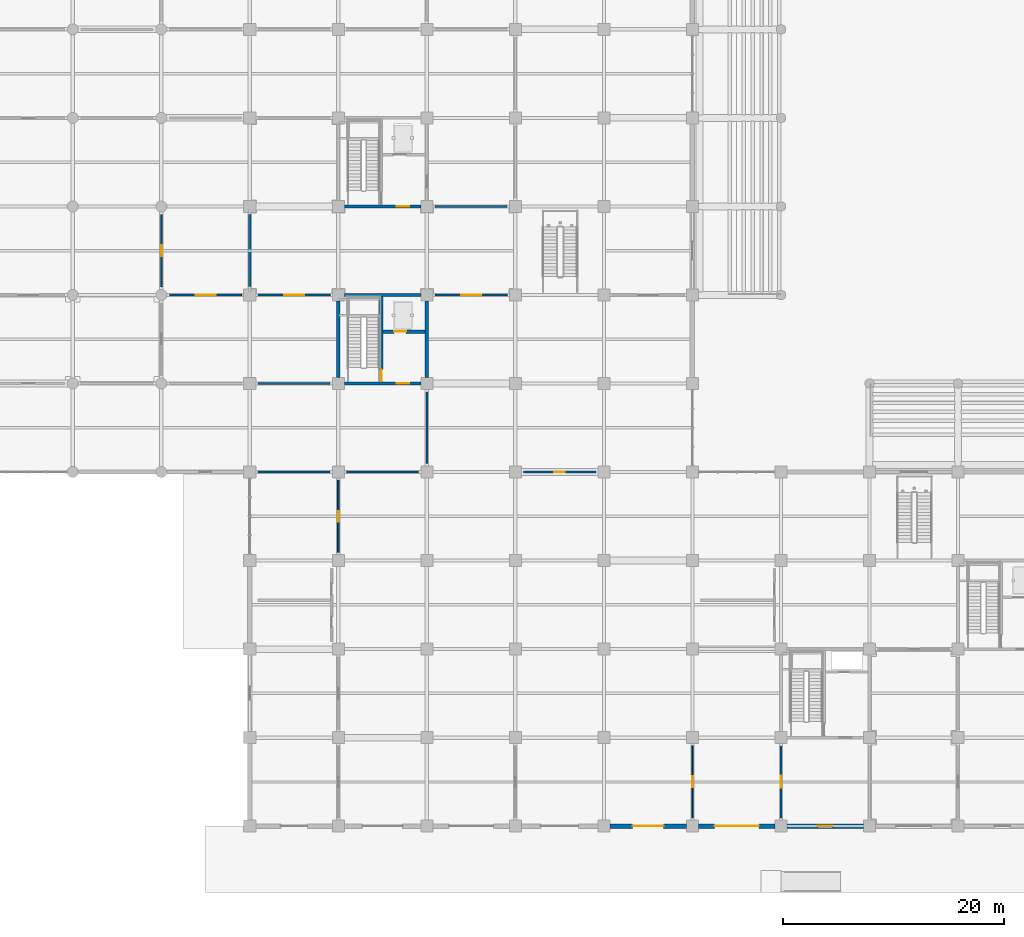
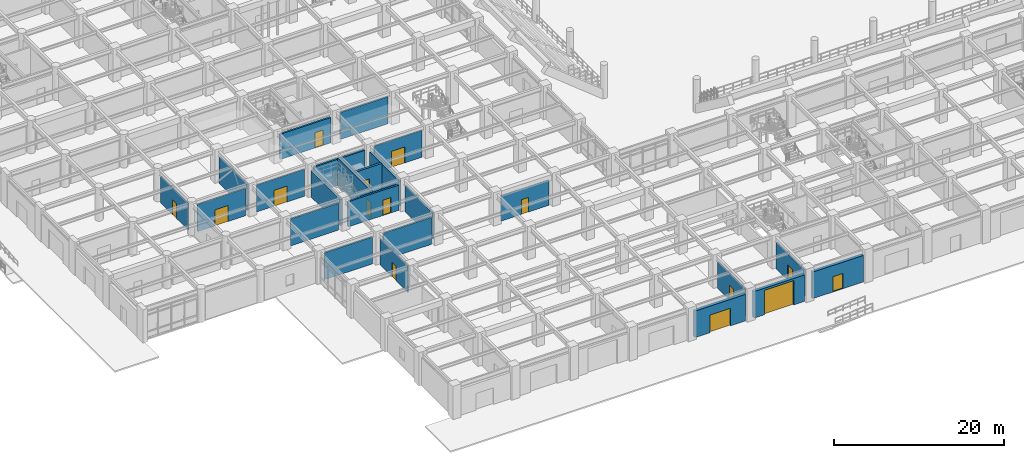
# One storey, part 74 of 125: 24 walls, 15 doors, 15 openings.
"""IFC4 building model written with IfcOpenShell, lengths in metres."""

from ifc_helpers import new_model, si_unit, direction, frame, frame_2d, origin, place, context, subcontext, project, spatial, rectangle, extrude, material, layer, layer_set, type_object, element, fill, save


model = new_model("IFC4")

# Units and contexts
model_context = context("Model", 3, precision=1e-05, world=origin(), true_north=direction((0.0, 1.0)))
body_context = subcontext(model_context, "Body", "Model", "MODEL_VIEW")
ifc_project = project(units=[si_unit("LENGTHUNIT", "METRE"), si_unit("AREAUNIT", "SQUARE_METRE"), si_unit("VOLUMEUNIT", "CUBIC_METRE"), si_unit("PLANEANGLEUNIT", "RADIAN"), si_unit("MASSUNIT", "GRAM", prefix="KILO")], contexts=[model_context])

# Site, building, storey
site_placement = place(None, origin())
site = spatial("IfcSite", under=ifc_project, at=site_placement, CompositionType="ELEMENT")
building_placement = place(site_placement, origin())
building = spatial("IfcBuilding", under=site, at=building_placement, Name="Haebicheon Civic Stadium", CompositionType="ELEMENT")
storey_placement = place(building_placement, origin())
storey = spatial("IfcBuildingStorey", under=building, at=storey_placement, Name="L01", CompositionType="ELEMENT", Elevation=0.0)

# Wall, opening, door
ifc_material_1 = material(Name="Concrete C40/50", Category="concrete")
ifc_layer_1 = layer(ifc_material_1, 0.239990234375, Name="Concrete C40/50")
ifc_layer_set_1 = layer_set([ifc_layer_1], Name="Concrete C40/50")
wall_type_1 = type_object("IfcWallType", Name="CW-SHR-240", PredefinedType="SHEAR", material=ifc_layer_set_1)
wall_1_placement = place(storey_placement, frame((32.550048828125, 40.0, 0.0), z_axis=(0.0, 0.0, 1.0), x_axis=(1.0, 0.0, 0.0)))
wall_1 = element("IfcWall", 1, at=wall_1_placement, inside=storey, type_object=wall_type_1, material=ifc_layer_set_1, Name="KC-01 L01 south core shear wall", PredefinedType="SHEAR", context=body_context, shape_type="SweptSolid", body=[
    extrude(rectangle(XDim=6.89990234375, YDim=0.239990234375, at=frame_2d((3.449951171875, 0.0))), origin(), (0.0, 0.0, 1.0), 3.6201171875),
])
opening_1_placement = place(wall_1_placement, frame((4.75, 0.0, 0.0)))
opening_1 = element("IfcOpeningElement", 2, at=opening_1_placement, cuts=wall_1, Name="Opening D-L01-KC-01-LOB", PredefinedType="OPENING", context=body_context, shape_type="SweptSolid", body=[
    extrude(rectangle(XDim=1.10009765625, YDim=2.199951171875, at=frame_2d((0.550048828125, 1.10009765625))), frame((0.0, 0.1298828125, 0.0), z_axis=(0.0, -1.0, 0.0), x_axis=(1.0, 0.0, 0.0)), (0.0, 0.0, 1.0), 0.260009765625),
])
ifc_material_2 = material(Name="Galvanised painted steel SM355", Category="steel")
door_type_1 = type_object("IfcDoorType", Name="ID-FD-1100", OperationType="NOTDEFINED", PredefinedType="DOOR", material=ifc_material_2)
door_1_placement = place(opening_1_placement, origin())
door_1 = element("IfcDoor", 3, at=door_1_placement, inside=storey, type_object=door_type_1, material=ifc_material_2, Name="L01 KC-01 lobby fire door", OperationType="SINGLE_SWING_LEFT", OverallHeight=2.199951171875, OverallWidth=1.10009765625, PredefinedType="DOOR", context=body_context, shape_type="SweptSolid", body=[
    extrude(rectangle(XDim=1.10009765625, YDim=2.199951171875, at=frame_2d((0.550048828125, 1.10009765625))), frame((0.0, 0.02490234375, 0.0), z_axis=(0.0, -1.0, 0.0), x_axis=(1.0, 0.0, 0.0)), (0.0, 0.0, 1.0), 0.050048828125),
])
fill(opening_1, door_1)

# Wall
wall_2_placement = place(storey_placement, frame((32.550048828125, 48.0, 0.0), z_axis=(0.0, 0.0, 1.0), x_axis=(1.0, 0.0, 0.0)))
element("IfcWall", 4, at=wall_2_placement, inside=storey, type_object=wall_type_1, material=ifc_layer_set_1, Name="KC-01 L01 north core shear wall", PredefinedType="SHEAR", context=body_context, shape_type="SweptSolid", body=[
    extrude(rectangle(XDim=6.89990234375, YDim=0.239990234375, at=frame_2d((3.449951171875, 0.0))), origin(), (0.0, 0.0, 1.0), 3.77001953125),
])

# Wall, opening, door
wall_3_placement = place(storey_placement, frame((32.550048828125, 56.0, 0.0), z_axis=(0.0, 0.0, 1.0), x_axis=(1.0, 0.0, 0.0)))
wall_3 = element("IfcWall", 5, at=wall_3_placement, inside=storey, type_object=wall_type_1, material=ifc_layer_set_1, Name="KC-02 L01 south core shear wall", PredefinedType="SHEAR", context=body_context, shape_type="SweptSolid", body=[
    extrude(rectangle(XDim=6.89990234375, YDim=0.239990234375, at=frame_2d((3.449951171875, 0.0))), origin(), (0.0, 0.0, 1.0), 3.6201171875),
])
opening_2_placement = place(wall_3_placement, frame((4.75, 0.0, 0.0)))
opening_2 = element("IfcOpeningElement", 6, at=opening_2_placement, cuts=wall_3, Name="Opening D-L01-KC-02-LOB", PredefinedType="OPENING", context=body_context, shape_type="SweptSolid", body=[
    extrude(rectangle(XDim=1.10009765625, YDim=2.199951171875, at=frame_2d((0.550048828125, 1.10009765625))), frame((0.0, 0.1298828125, 0.0), z_axis=(0.0, -1.0, 0.0), x_axis=(1.0, 0.0, 0.0)), (0.0, 0.0, 1.0), 0.260009765625),
])
door_2_placement = place(opening_2_placement, origin())
door_2 = element("IfcDoor", 7, at=door_2_placement, inside=storey, type_object=door_type_1, material=ifc_material_2, Name="L01 KC-02 lobby fire door", OperationType="SINGLE_SWING_LEFT", OverallHeight=2.199951171875, OverallWidth=1.10009765625, PredefinedType="DOOR", context=body_context, shape_type="SweptSolid", body=[
    extrude(rectangle(XDim=1.10009765625, YDim=2.199951171875, at=frame_2d((0.550048828125, 1.10009765625))), frame((0.0, 0.02490234375, 0.0), z_axis=(0.0, -1.0, 0.0), x_axis=(1.0, 0.0, 0.0)), (0.0, 0.0, 1.0), 0.050048828125),
])
fill(opening_2, door_2)

# Walls
ifc_material_3 = material(Name="Concrete C40/50", Category="concrete")
ifc_layer_2 = layer(ifc_material_3, 0.300048828125, Name="Concrete C40/50")
ifc_layer_set_2 = layer_set([ifc_layer_2], Name="Concrete C40/50")
wall_type_2 = type_object("IfcWallType", Name="CW-SHR-300", PredefinedType="SHEAR", material=ifc_layer_set_2)
wall_4_placement = place(storey_placement, frame((32.0, 40.550048828125, 0.0), z_axis=(0.0, 0.0, 1.0), x_axis=(0.0, 1.0, 0.0)))
element("IfcWall", 8, at=wall_4_placement, inside=storey, type_object=wall_type_2, material=ifc_layer_set_2, Name="KC-01 L01 west core shear wall", PredefinedType="SHEAR", context=body_context, shape_type="SweptSolid", body=[
    extrude(rectangle(XDim=6.89990234375, YDim=0.300048828125, at=frame_2d((3.449951171875, 0.0))), origin(), (0.0, 0.0, 1.0), 3.77001953125),
])
wall_5_placement = place(storey_placement, frame((40.0, 40.550048828125, 0.0), z_axis=(0.0, 0.0, 1.0), x_axis=(0.0, 1.0, 0.0)))
element("IfcWall", 9, at=wall_5_placement, inside=storey, type_object=wall_type_2, material=ifc_layer_set_2, Name="KC-01 L01 east core shear wall", PredefinedType="SHEAR", context=body_context, shape_type="SweptSolid", body=[
    extrude(rectangle(XDim=6.89990234375, YDim=0.300048828125, at=frame_2d((3.449951171875, 0.0))), origin(), (0.0, 0.0, 1.0), 3.6201171875),
])

# Wall, opening, door
wall_6_placement = place(storey_placement, frame((35.8798828125, 40.1201171875, 0.0), z_axis=(0.0, 0.0, 1.0), x_axis=(0.0, 1.0, 0.0)))
wall_6 = element("IfcWall", 10, at=wall_6_placement, inside=storey, type_object=wall_type_2, material=ifc_layer_set_2, Name="KC-01 L01 stair-lobby dividing shear wall", PredefinedType="SHEAR", context=body_context, shape_type="SweptSolid", body=[
    extrude(rectangle(XDim=7.759765625, YDim=0.300048828125, at=frame_2d((3.8798828125, 0.0))), origin(), (0.0, 0.0, 1.0), 3.969970703125),
])
opening_3_placement = place(wall_6_placement, frame((0.080078125, 0.0, 0.0)))
opening_3 = element("IfcOpeningElement", 11, at=opening_3_placement, cuts=wall_6, Name="Opening D-L01-KC-01-STR", PredefinedType="OPENING", context=body_context, shape_type="SweptSolid", body=[
    extrude(rectangle(XDim=1.050048828125, YDim=2.14990234375, at=frame_2d((0.52490234375, 1.074951171875))), frame((0.0, 0.159912109375, 0.0), z_axis=(0.0, -1.0, 0.0), x_axis=(1.0, 0.0, 0.0)), (0.0, 0.0, 1.0), 0.320068359375),
])
ifc_material_4 = material(Name="Galvanised painted steel SM355", Category="steel")
door_type_2 = type_object("IfcDoorType", Name="ID-FD-1050", OperationType="NOTDEFINED", PredefinedType="DOOR", material=ifc_material_4)
door_3_placement = place(opening_3_placement, origin())
door_3 = element("IfcDoor", 12, at=door_3_placement, inside=storey, type_object=door_type_2, material=ifc_material_4, Name="L01 ST-01 stairwell escape door", OperationType="SINGLE_SWING_RIGHT", OverallHeight=2.14990234375, OverallWidth=1.050048828125, PredefinedType="DOOR", context=body_context, shape_type="SweptSolid", body=[
    extrude(rectangle(XDim=1.050048828125, YDim=2.14990234375, at=frame_2d((0.52490234375, 1.074951171875))), frame((0.0, 0.02490234375, 0.0), z_axis=(0.0, -1.0, 0.0), x_axis=(1.0, 0.0, 0.0)), (0.0, 0.0, 1.0), 0.050048828125),
])
fill(opening_3, door_3)

wall_7_placement = place(storey_placement, frame((36.030029296875, 44.679931640625, 0.0), z_axis=(0.0, 0.0, 1.0), x_axis=(1.0, 0.0, 0.0)))
wall_7 = element("IfcWall", 13, at=wall_7_placement, inside=storey, type_object=wall_type_2, material=ifc_layer_set_2, Name="KC-01 L01 lift shaft front wall", PredefinedType="SHEAR", context=body_context, shape_type="SweptSolid", body=[
    extrude(rectangle(XDim=3.820068359375, YDim=0.300048828125, at=frame_2d((1.91015625, 0.0))), origin(), (0.0, 0.0, 1.0), 3.77001953125),
])
opening_4_placement = place(wall_7_placement, frame((1.0, 0.0, 0.0)))
opening_4 = element("IfcOpeningElement", 14, at=opening_4_placement, cuts=wall_7, Name="Opening LD-01-L01", PredefinedType="OPENING", context=body_context, shape_type="SweptSolid", body=[
    extrude(rectangle(XDim=1.10009765625, YDim=2.14990234375, at=frame_2d((0.550048828125, 1.074951171875))), frame((0.0, 0.159912109375, 0.0), z_axis=(0.0, -1.0, 0.0), x_axis=(1.0, 0.0, 0.0)), (0.0, 0.0, 1.0), 0.320068359375),
])
ifc_material_5 = material(Name="Stainless steel 316", Category="steel")
door_type_3 = type_object("IfcDoorType", Name="ID-LD-1100", OperationType="NOTDEFINED", PredefinedType="DOOR", material=ifc_material_5)
door_4_placement = place(opening_4_placement, origin())
door_4 = element("IfcDoor", 15, at=door_4_placement, inside=storey, type_object=door_type_3, material=ifc_material_5, Name="LF-01 lift landing sliding door L01", OperationType="SLIDING_TO_LEFT", OverallHeight=2.14990234375, OverallWidth=1.10009765625, PredefinedType="DOOR", context=body_context, shape_type="SweptSolid", body=[
    extrude(rectangle(XDim=1.10009765625, YDim=2.14990234375, at=frame_2d((0.550048828125, 1.074951171875))), frame((0.0, 0.02490234375, 0.0), z_axis=(0.0, -1.0, 0.0), x_axis=(1.0, 0.0, 0.0)), (0.0, 0.0, 1.0), 0.050048828125),
])
fill(opening_4, door_4)

ifc_material_6 = material(Name="Concrete C40/50", Category="concrete")
ifc_layer_3 = layer(ifc_material_6, 0.39990234375, Name="Concrete C40/50")
ifc_layer_set_3 = layer_set([ifc_layer_3], Name="Concrete C40/50")
wall_type_3 = type_object("IfcWallType", Name="EW-BM-400", PredefinedType="SOLIDWALL", material=ifc_layer_set_3)
wall_8_placement = place(storey_placement, frame((56.550048828125, 0.0, 0.0), z_axis=(0.0, 0.0, 1.0), x_axis=(1.0, 0.0, 0.0)))
wall_8 = element("IfcWall", 16, at=wall_8_placement, inside=storey, type_object=wall_type_3, material=ifc_layer_set_3, Name="L01 board-marked concrete facade wall 07-00-S", PredefinedType="SOLIDWALL", context=body_context, shape_type="SweptSolid", body=[
    extrude(rectangle(XDim=6.89990234375, YDim=0.39990234375, at=frame_2d((3.449951171875, 0.0))), origin(), (0.0, 0.0, 1.0), 3.81005859375),
])
opening_5_placement = place(wall_8_placement, frame((2.050048828125, 0.0, 0.0)))
opening_5 = element("IfcOpeningElement", 17, at=opening_5_placement, cuts=wall_8, Name="Opening G06", PredefinedType="OPENING", context=body_context, shape_type="SweptSolid", body=[
    extrude(rectangle(XDim=2.800048828125, YDim=2.550048828125, at=frame_2d((1.39990234375, 1.27490234375))), frame((0.0, 0.2099609375, 0.0), z_axis=(0.0, -1.0, 0.0), x_axis=(1.0, 0.0, 0.0)), (0.0, 0.0, 1.0), 0.419921875),
])
ifc_material_7 = material(Name="Anodised aluminium 6063-T6", Category="aluminium")
door_type_4 = type_object("IfcDoorType", Name="ED-GATE-2800", OperationType="NOTDEFINED", PredefinedType="DOOR", material=ifc_material_7)
door_5_placement = place(opening_5_placement, origin())
door_5 = element("IfcDoor", 18, at=door_5_placement, inside=storey, type_object=door_type_4, material=ifc_material_7, Name="Pedestrian exit gate G6", OperationType="DOUBLE_SWING_LEFT", OverallHeight=2.550048828125, OverallWidth=2.800048828125, PredefinedType="DOOR", context=body_context, shape_type="SweptSolid", body=[
    extrude(rectangle(XDim=2.800048828125, YDim=2.550048828125, at=frame_2d((1.39990234375, 1.27490234375))), frame((0.0, 0.02490234375, 0.0), z_axis=(0.0, -1.0, 0.0), x_axis=(1.0, 0.0, 0.0)), (0.0, 0.0, 1.0), 0.050048828125),
])
fill(opening_5, door_5)

wall_9_placement = place(storey_placement, frame((64.550048828125, 0.0, 0.0), z_axis=(0.0, 0.0, 1.0), x_axis=(1.0, 0.0, 0.0)))
wall_9 = element("IfcWall", 19, at=wall_9_placement, inside=storey, type_object=wall_type_3, material=ifc_layer_set_3, Name="L01 board-marked concrete facade wall 08-00-S", PredefinedType="SOLIDWALL", context=body_context, shape_type="SweptSolid", body=[
    extrude(rectangle(XDim=6.89990234375, YDim=0.39990234375, at=frame_2d((3.449951171875, 0.0))), origin(), (0.0, 0.0, 1.0), 3.81005859375),
])
opening_6_placement = place(wall_9_placement, frame((1.449951171875, 0.0, 0.0)))
opening_6 = element("IfcOpeningElement", 20, at=opening_6_placement, cuts=wall_9, Name="Opening DS02", PredefinedType="OPENING", context=body_context, shape_type="SweptSolid", body=[
    extrude(rectangle(XDim=4.0, YDim=3.5, at=frame_2d((2.0, 1.75))), frame((0.0, 0.2099609375, 0.0), z_axis=(0.0, -1.0, 0.0), x_axis=(1.0, 0.0, 0.0)), (0.0, 0.0, 1.0), 0.419921875),
])
ifc_material_8 = material(Name="Galvanised painted steel SM355", Category="steel")
door_type_5 = type_object("IfcDoorType", Name="ED-DOCK-4000", OperationType="NOTDEFINED", PredefinedType="GATE", material=ifc_material_8)
door_6_placement = place(opening_6_placement, origin())
door_6 = element("IfcDoor", 21, at=door_6_placement, inside=storey, type_object=door_type_5, material=ifc_material_8, Name="Loading dock roller shutter DS2", OperationType="ROLLINGUP", OverallHeight=3.5, OverallWidth=4.0, PredefinedType="GATE", context=body_context, shape_type="SweptSolid", body=[
    extrude(rectangle(XDim=4.0, YDim=3.5, at=frame_2d((2.0, 1.75))), frame((0.0, 0.02490234375, 0.0), z_axis=(0.0, -1.0, 0.0), x_axis=(1.0, 0.0, 0.0)), (0.0, 0.0, 1.0), 0.050048828125),
])
fill(opening_6, door_6)

wall_10_placement = place(storey_placement, frame((79.449951171875, 0.0, 0.0), z_axis=(0.0, 0.0, 1.0), x_axis=(-1.0, 0.0, 0.0)))
wall_10 = element("IfcWall", 22, at=wall_10_placement, inside=storey, type_object=wall_type_3, material=ifc_layer_set_3, Name="L01 board-marked concrete facade wall 09-00-S", PredefinedType="SOLIDWALL", context=body_context, shape_type="SweptSolid", body=[
    extrude(rectangle(XDim=6.89990234375, YDim=0.39990234375, at=frame_2d((3.449951171875, 0.0))), origin(), (0.0, 0.0, 1.0), 3.81005859375),
])
opening_7_placement = place(wall_10_placement, frame((2.75, 0.0, 0.0)))
opening_7 = element("IfcOpeningElement", 23, at=opening_7_placement, cuts=wall_10, Name="Opening DX11", PredefinedType="OPENING", context=body_context, shape_type="SweptSolid", body=[
    extrude(rectangle(XDim=1.39990234375, YDim=2.199951171875, at=frame_2d((0.699951171875, 1.10009765625))), frame((0.0, 0.2099609375, 0.0), z_axis=(0.0, -1.0, 0.0), x_axis=(1.0, 0.0, 0.0)), (0.0, 0.0, 1.0), 0.419921875),
])
ifc_material_9 = material(Name="Galvanised painted steel SM355", Category="steel")
door_type_6 = type_object("IfcDoorType", Name="ED-EXIT-1400", OperationType="NOTDEFINED", PredefinedType="DOOR", material=ifc_material_9)
door_7_placement = place(opening_7_placement, origin())
door_7 = element("IfcDoor", 24, at=door_7_placement, inside=storey, type_object=door_type_6, material=ifc_material_9, Name="Protected exit passage final exit door DX11", OperationType="SINGLE_SWING_LEFT", OverallHeight=2.199951171875, OverallWidth=1.39990234375, PredefinedType="DOOR", context=body_context, shape_type="SweptSolid", body=[
    extrude(rectangle(XDim=1.39990234375, YDim=2.199951171875, at=frame_2d((0.699951171875, 1.10009765625))), frame((0.0, 0.02490234375, 0.0), z_axis=(0.0, -1.0, 0.0), x_axis=(1.0, 0.0, 0.0)), (0.0, 0.0, 1.0), 0.050048828125),
])
fill(opening_7, door_7)

# Walls
ifc_material_10 = material(Name="Concrete C35/45", Category="concrete")
ifc_layer_4 = layer(ifc_material_10, 0.199951171875, Name="Concrete C35/45")
ifc_layer_set_4 = layer_set([ifc_layer_4], Name="Concrete C35/45")
wall_type_4 = type_object("IfcWallType", Name="IW-FIR-200", PredefinedType="PARTITIONING", material=ifc_layer_set_4)
wall_11_placement = place(storey_placement, frame((24.0, 48.75, 0.0), z_axis=(0.0, 0.0, 1.0), x_axis=(0.0, 1.0, 0.0)))
element("IfcWall", 25, at=wall_11_placement, inside=storey, type_object=wall_type_4, material=ifc_layer_set_4, Name="L01 braced-frame solid fire wall 03-06", PredefinedType="PARTITIONING", context=body_context, shape_type="SweptSolid", body=[
    extrude(rectangle(XDim=6.5, YDim=0.199951171875, at=frame_2d((3.25, 0.0))), origin(), (0.0, 0.0, 1.0), 3.77001953125),
])
for number, where, z_axis, x_axis, name in (
    (26, (24.75, 32.0, 0.0), (0.0, 0.0, 1.0), (1.0, 0.0, 0.0), "L01 KC-01 protected exit passage EI 120 wall 04"),
    (27, (24.75, 40.0, 0.0), (0.0, 0.0, 1.0), (1.0, 0.0, 0.0), "L01 KC-01 protected exit passage EI 120 wall 05"),
):
    element("IfcWall", number, at=place(storey_placement, frame(where, z_axis=z_axis, x_axis=x_axis)), inside=storey, type_object=wall_type_4, material=ifc_layer_set_4, Name=name, PredefinedType="PARTITIONING", context=body_context, shape_type="SweptSolid", body=[
        extrude(rectangle(XDim=6.5, YDim=0.199951171875, at=frame_2d((3.25, 0.0))), origin(), (0.0, 0.0, 1.0), 3.8701171875),
    ])
wall_12_placement = place(storey_placement, frame((40.0, 32.75, 0.0), z_axis=(0.0, 0.0, 1.0), x_axis=(0.0, 1.0, 0.0)))
element("IfcWall", 28, at=wall_12_placement, inside=storey, type_object=wall_type_4, material=ifc_layer_set_4, Name="L01 KC-01 protected exit passage EI 120 wall 06", PredefinedType="PARTITIONING", context=body_context, shape_type="SweptSolid", body=[
    extrude(rectangle(XDim=6.5, YDim=0.199951171875, at=frame_2d((3.25, 0.0))), origin(), (0.0, 0.0, 1.0), 3.77001953125),
])
wall_13_placement = place(storey_placement, frame((32.75, 32.0, 0.0), z_axis=(0.0, 0.0, 1.0), x_axis=(1.0, 0.0, 0.0)))
element("IfcWall", 29, at=wall_13_placement, inside=storey, type_object=wall_type_4, material=ifc_layer_set_4, Name="L01 KC-01 protected exit passage EI 120 wall 07", PredefinedType="PARTITIONING", context=body_context, shape_type="SweptSolid", body=[
    extrude(rectangle(XDim=6.5, YDim=0.199951171875, at=frame_2d((3.25, 0.0))), origin(), (0.0, 0.0, 1.0), 3.8701171875),
])

# Wall, opening, door
wall_14_placement = place(storey_placement, frame((72.0, 0.75, 0.0), z_axis=(0.0, 0.0, 1.0), x_axis=(0.0, 1.0, 0.0)))
wall_14 = element("IfcWall", 30, at=wall_14_placement, inside=storey, type_object=wall_type_4, material=ifc_layer_set_4, Name="L01 KC-16 protected exit passage EI 120 wall 01", PredefinedType="PARTITIONING", context=body_context, shape_type="SweptSolid", body=[
    extrude(rectangle(XDim=6.5, YDim=0.199951171875, at=frame_2d((3.25, 0.0))), origin(), (0.0, 0.0, 1.0), 3.81005859375),
])
opening_8_placement = place(wall_14_placement, frame((2.699951171875, 0.0, 0.0)))
opening_8 = element("IfcOpeningElement", 31, at=opening_8_placement, cuts=wall_14, Name="Opening D-L01-PXP-11", PredefinedType="OPENING", context=body_context, shape_type="SweptSolid", body=[
    extrude(rectangle(XDim=1.10009765625, YDim=2.199951171875, at=frame_2d((0.550048828125, 1.10009765625))), frame((0.0, 0.10986328125, 0.0), z_axis=(0.0, -1.0, 0.0), x_axis=(1.0, 0.0, 0.0)), (0.0, 0.0, 1.0), 0.219970703125),
])
door_8_placement = place(opening_8_placement, origin())
door_8 = element("IfcDoor", 32, at=door_8_placement, inside=storey, type_object=door_type_1, material=ifc_material_2, Name="L01 KC-16 protected exit passage lobby fire door", OperationType="SINGLE_SWING_LEFT", OverallHeight=2.199951171875, OverallWidth=1.10009765625, PredefinedType="DOOR", context=body_context, shape_type="SweptSolid", body=[
    extrude(rectangle(XDim=1.10009765625, YDim=2.199951171875, at=frame_2d((0.550048828125, 1.10009765625))), frame((0.0, 0.02490234375, 0.0), z_axis=(0.0, -1.0, 0.0), x_axis=(1.0, 0.0, 0.0)), (0.0, 0.0, 1.0), 0.050048828125),
])
fill(opening_8, door_8)

# Wall
wall_15_placement = place(storey_placement, frame((40.75, 56.0, 0.0), z_axis=(0.0, 0.0, 1.0), x_axis=(1.0, 0.0, 0.0)))
element("IfcWall", 33, at=wall_15_placement, inside=storey, type_object=wall_type_4, material=ifc_layer_set_4, Name="L01 KC-02 protected exit passage EI 120 wall 11", PredefinedType="PARTITIONING", context=body_context, shape_type="SweptSolid", body=[
    extrude(rectangle(XDim=6.5, YDim=0.199951171875, at=frame_2d((3.25, 0.0))), origin(), (0.0, 0.0, 1.0), 3.8701171875),
])

# Wall, opening, door
ifc_material_11 = material(Name="Gypsum plasterboard on steel studs", Category="gypsum")
ifc_layer_5 = layer(ifc_material_11, 0.1201171875, Name="Gypsum plasterboard on steel studs")
ifc_layer_set_5 = layer_set([ifc_layer_5], Name="Gypsum plasterboard on steel studs")
wall_type_5 = type_object("IfcWallType", Name="IW-PRT-120", PredefinedType="PARTITIONING", material=ifc_layer_set_5)
wall_16_placement = place(storey_placement, frame((64.0, 0.75, 0.0), z_axis=(0.0, 0.0, 1.0), x_axis=(0.0, 1.0, 0.0)))
wall_16 = element("IfcWall", 34, at=wall_16_placement, inside=storey, type_object=wall_type_5, material=ifc_layer_set_5, Name="L01 Outside Broadcast Compound partition wall", PredefinedType="PARTITIONING", context=body_context, shape_type="SweptSolid", body=[
    extrude(rectangle(XDim=6.5, YDim=0.1201171875, at=frame_2d((3.25, 0.0))), origin(), (0.0, 0.0, 1.0), 3.81005859375),
])
opening_9_placement = place(wall_16_placement, frame((2.75, 0.0, 0.0)))
opening_9 = element("IfcOpeningElement", 35, at=opening_9_placement, cuts=wall_16, Name="Opening D-L01-182", PredefinedType="OPENING", context=body_context, shape_type="SweptSolid", body=[
    extrude(rectangle(XDim=1.0, YDim=2.10009765625, at=frame_2d((0.5, 1.050048828125))), frame((0.0, 0.070068359375, 0.0), z_axis=(0.0, -1.0, 0.0), x_axis=(1.0, 0.0, 0.0)), (0.0, 0.0, 1.0), 0.14013671875),
])
ifc_material_12 = material(Name="Engineered hardwood timber", Category="wood")
door_type_7 = type_object("IfcDoorType", Name="ID-RM-1000", OperationType="NOTDEFINED", PredefinedType="DOOR", material=ifc_material_12)
door_9_placement = place(opening_9_placement, origin())
door_9 = element("IfcDoor", 36, at=door_9_placement, inside=storey, type_object=door_type_7, material=ifc_material_12, Name="L01 Outside Broadcast Compound entrance door D-L01-182", OperationType="SINGLE_SWING_LEFT", OverallHeight=2.10009765625, OverallWidth=1.0, PredefinedType="DOOR", context=body_context, shape_type="SweptSolid", body=[
    extrude(rectangle(XDim=1.0, YDim=2.10009765625, at=frame_2d((0.5, 1.050048828125))), frame((0.0, 0.02490234375, 0.0), z_axis=(0.0, -1.0, 0.0), x_axis=(1.0, 0.0, 0.0)), (0.0, 0.0, 1.0), 0.050048828125),
])
fill(opening_9, door_9)

ifc_material_13 = material(Name="Gypsum plasterboard on steel studs", Category="gypsum")
ifc_layer_6 = layer(ifc_material_13, 0.1298828125, Name="Gypsum plasterboard on steel studs")
ifc_layer_set_6 = layer_set([ifc_layer_6], Name="Gypsum plasterboard on steel studs")
wall_type_6 = type_object("IfcWallType", Name="IW-PRT-130", PredefinedType="PARTITIONING", material=ifc_layer_set_6)
wall_17_placement = place(storey_placement, frame((16.0, 48.75, 0.0), z_axis=(0.0, 0.0, 1.0), x_axis=(0.0, 1.0, 0.0)))
wall_17 = element("IfcWall", 37, at=wall_17_placement, inside=storey, type_object=wall_type_6, material=ifc_layer_set_6, Name="L01 Club Megastore partition wall", PredefinedType="PARTITIONING", context=body_context, shape_type="SweptSolid", body=[
    extrude(rectangle(XDim=6.5, YDim=0.1298828125, at=frame_2d((3.25, 0.0))), origin(), (0.0, 0.0, 1.0), 3.81005859375),
])
opening_10_placement = place(wall_17_placement, frame((2.75, 0.0, 0.0)))
opening_10 = element("IfcOpeningElement", 38, at=opening_10_placement, cuts=wall_17, Name="Opening D-L01-168", PredefinedType="OPENING", context=body_context, shape_type="SweptSolid", body=[
    extrude(rectangle(XDim=1.0, YDim=2.10009765625, at=frame_2d((0.5, 1.050048828125))), frame((0.0, 0.074951171875, 0.0), z_axis=(0.0, -1.0, 0.0), x_axis=(1.0, 0.0, 0.0)), (0.0, 0.0, 1.0), 0.14990234375),
])
door_10_placement = place(opening_10_placement, origin())
door_10 = element("IfcDoor", 39, at=door_10_placement, inside=storey, type_object=door_type_7, material=ifc_material_12, Name="L01 Club Megastore entrance door D-L01-168", OperationType="SINGLE_SWING_RIGHT", OverallHeight=2.10009765625, OverallWidth=1.0, PredefinedType="DOOR", context=body_context, shape_type="SweptSolid", body=[
    extrude(rectangle(XDim=1.0, YDim=2.10009765625, at=frame_2d((0.5, 1.050048828125))), frame((0.0, 0.02490234375, 0.0), z_axis=(0.0, -1.0, 0.0), x_axis=(1.0, 0.0, 0.0)), (0.0, 0.0, 1.0), 0.050048828125),
])
fill(opening_10, door_10)

ifc_material_14 = material(Name="Gypsum plasterboard on steel studs", Category="gypsum")
ifc_layer_7 = layer(ifc_material_14, 0.14990234375, Name="Gypsum plasterboard on steel studs")
ifc_layer_set_7 = layer_set([ifc_layer_7], Name="Gypsum plasterboard on steel studs")
wall_type_7 = type_object("IfcWallType", Name="IW-PRT-150", PredefinedType="PARTITIONING", material=ifc_layer_set_7)
wall_18_placement = place(storey_placement, frame((24.75, 48.0, 0.0), z_axis=(0.0, 0.0, 1.0), x_axis=(1.0, 0.0, 0.0)))
wall_18 = element("IfcWall", 40, at=wall_18_placement, inside=storey, type_object=wall_type_7, material=ifc_layer_set_7, Name="L01 Mixed Zone Media Interview Hall partition wall", PredefinedType="PARTITIONING", context=body_context, shape_type="SweptSolid", body=[
    extrude(rectangle(XDim=6.5, YDim=0.14990234375, at=frame_2d((3.25, 0.0))), origin(), (0.0, 0.0, 1.0), 3.8701171875),
])
opening_11_placement = place(wall_18_placement, frame((2.35009765625, 0.0, 0.0)))
opening_11 = element("IfcOpeningElement", 41, at=opening_11_placement, cuts=wall_18, Name="Opening D-L01-113", PredefinedType="OPENING", context=body_context, shape_type="SweptSolid", body=[
    extrude(rectangle(XDim=1.800048828125, YDim=2.300048828125, at=frame_2d((0.89990234375, 1.14990234375))), frame((0.0, 0.0849609375, 0.0), z_axis=(0.0, -1.0, 0.0), x_axis=(1.0, 0.0, 0.0)), (0.0, 0.0, 1.0), 0.169921875),
])
ifc_material_15 = material(Name="Galvanised painted steel SM355", Category="steel")
door_type_8 = type_object("IfcDoorType", Name="ID-DBL-1800", OperationType="NOTDEFINED", PredefinedType="DOOR", material=ifc_material_15)
door_11_placement = place(opening_11_placement, origin())
door_11 = element("IfcDoor", 42, at=door_11_placement, inside=storey, type_object=door_type_8, material=ifc_material_15, Name="L01 Mixed Zone Media Interview Hall entrance door D-L01-113", OperationType="DOUBLE_SWING_LEFT", OverallHeight=2.300048828125, OverallWidth=1.800048828125, PredefinedType="DOOR", context=body_context, shape_type="SweptSolid", body=[
    extrude(rectangle(XDim=1.800048828125, YDim=2.300048828125, at=frame_2d((0.89990234375, 1.14990234375))), frame((0.0, 0.02490234375, 0.0), z_axis=(0.0, -1.0, 0.0), x_axis=(1.0, 0.0, 0.0)), (0.0, 0.0, 1.0), 0.050048828125),
])
fill(opening_11, door_11)

wall_19_placement = place(storey_placement, frame((40.75, 48.0, 0.0), z_axis=(0.0, 0.0, 1.0), x_axis=(1.0, 0.0, 0.0)))
wall_19 = element("IfcWall", 43, at=wall_19_placement, inside=storey, type_object=wall_type_7, material=ifc_layer_set_7, Name="L01 VIP Entrance Reception Hall partition wall", PredefinedType="PARTITIONING", context=body_context, shape_type="SweptSolid", body=[
    extrude(rectangle(XDim=6.5, YDim=0.14990234375, at=frame_2d((3.25, 0.0))), origin(), (0.0, 0.0, 1.0), 3.8701171875),
])
opening_12_placement = place(wall_19_placement, frame((2.35009765625, 0.0, 0.0)))
opening_12 = element("IfcOpeningElement", 44, at=opening_12_placement, cuts=wall_19, Name="Opening D-L01-118", PredefinedType="OPENING", context=body_context, shape_type="SweptSolid", body=[
    extrude(rectangle(XDim=1.800048828125, YDim=2.300048828125, at=frame_2d((0.89990234375, 1.14990234375))), frame((0.0, 0.0849609375, 0.0), z_axis=(0.0, -1.0, 0.0), x_axis=(1.0, 0.0, 0.0)), (0.0, 0.0, 1.0), 0.169921875),
])
door_12_placement = place(opening_12_placement, origin())
door_12 = element("IfcDoor", 45, at=door_12_placement, inside=storey, type_object=door_type_8, material=ifc_material_15, Name="L01 VIP Entrance Reception Hall entrance door D-L01-118", OperationType="DOUBLE_SWING_LEFT", OverallHeight=2.300048828125, OverallWidth=1.800048828125, PredefinedType="DOOR", context=body_context, shape_type="SweptSolid", body=[
    extrude(rectangle(XDim=1.800048828125, YDim=2.300048828125, at=frame_2d((0.89990234375, 1.14990234375))), frame((0.0, 0.02490234375, 0.0), z_axis=(0.0, -1.0, 0.0), x_axis=(1.0, 0.0, 0.0)), (0.0, 0.0, 1.0), 0.050048828125),
])
fill(opening_12, door_12)

wall_20_placement = place(storey_placement, frame((16.75, 48.0, 0.0), z_axis=(0.0, 0.0, 1.0), x_axis=(1.0, 0.0, 0.0)))
wall_20 = element("IfcWall", 46, at=wall_20_placement, inside=storey, type_object=wall_type_7, material=ifc_layer_set_7, Name="L01 Ticketing Hall partition wall", PredefinedType="PARTITIONING", context=body_context, shape_type="SweptSolid", body=[
    extrude(rectangle(XDim=6.5, YDim=0.14990234375, at=frame_2d((3.25, 0.0))), origin(), (0.0, 0.0, 1.0), 3.909912109375),
])
opening_13_placement = place(wall_20_placement, frame((2.35009765625, 0.0, 0.0)))
opening_13 = element("IfcOpeningElement", 47, at=opening_13_placement, cuts=wall_20, Name="Opening D-L01-174", PredefinedType="OPENING", context=body_context, shape_type="SweptSolid", body=[
    extrude(rectangle(XDim=1.800048828125, YDim=2.300048828125, at=frame_2d((0.89990234375, 1.14990234375))), frame((0.0, 0.0849609375, 0.0), z_axis=(0.0, -1.0, 0.0), x_axis=(1.0, 0.0, 0.0)), (0.0, 0.0, 1.0), 0.169921875),
])
door_13_placement = place(opening_13_placement, origin())
door_13 = element("IfcDoor", 48, at=door_13_placement, inside=storey, type_object=door_type_8, material=ifc_material_15, Name="L01 Ticketing Hall entrance door D-L01-174", OperationType="DOUBLE_SWING_LEFT", OverallHeight=2.300048828125, OverallWidth=1.800048828125, PredefinedType="DOOR", context=body_context, shape_type="SweptSolid", body=[
    extrude(rectangle(XDim=1.800048828125, YDim=2.300048828125, at=frame_2d((0.89990234375, 1.14990234375))), frame((0.0, 0.02490234375, 0.0), z_axis=(0.0, -1.0, 0.0), x_axis=(1.0, 0.0, 0.0)), (0.0, 0.0, 1.0), 0.050048828125),
])
fill(opening_13, door_13)

ifc_material_16 = material(Name="Concrete C35/45", Category="concrete")
ifc_layer_8 = layer(ifc_material_16, 0.159912109375, Name="Concrete C35/45")
ifc_layer_set_8 = layer_set([ifc_layer_8], Name="Concrete C35/45")
wall_type_8 = type_object("IfcWallType", Name="IW-PRT-160", PredefinedType="PARTITIONING", material=ifc_layer_set_8)
wall_21_placement = place(storey_placement, frame((32.0, 24.75, 0.0), z_axis=(0.0, 0.0, 1.0), x_axis=(0.0, 1.0, 0.0)))
wall_21 = element("IfcWall", 49, at=wall_21_placement, inside=storey, type_object=wall_type_8, material=ifc_layer_set_8, Name="L01 Pitchside Emergency Medical Clinic partition wall", PredefinedType="PARTITIONING", context=body_context, shape_type="SweptSolid", body=[
    extrude(rectangle(XDim=6.5, YDim=0.159912109375, at=frame_2d((3.25, 0.0))), origin(), (0.0, 0.0, 1.0), 3.77001953125),
])
opening_14_placement = place(wall_21_placement, frame((2.77490234375, 0.0, 0.0)))
opening_14 = element("IfcOpeningElement", 50, at=opening_14_placement, cuts=wall_21, Name="Opening D-L01-117", PredefinedType="OPENING", context=body_context, shape_type="SweptSolid", body=[
    extrude(rectangle(XDim=0.949951171875, YDim=2.10009765625, at=frame_2d((0.47509765625, 1.050048828125))), frame((0.0, 0.08984375, 0.0), z_axis=(0.0, -1.0, 0.0), x_axis=(1.0, 0.0, 0.0)), (0.0, 0.0, 1.0), 0.179931640625),
])
ifc_material_17 = material(Name="Engineered hardwood timber", Category="wood")
door_type_9 = type_object("IfcDoorType", Name="ID-RM-0950", OperationType="NOTDEFINED", PredefinedType="DOOR", material=ifc_material_17)
door_14_placement = place(opening_14_placement, origin())
door_14 = element("IfcDoor", 51, at=door_14_placement, inside=storey, type_object=door_type_9, material=ifc_material_17, Name="L01 Pitchside Emergency Medical Clinic entrance door D-L01-117", OperationType="SINGLE_SWING_LEFT", OverallHeight=2.10009765625, OverallWidth=0.949951171875, PredefinedType="DOOR", context=body_context, shape_type="SweptSolid", body=[
    extrude(rectangle(XDim=0.949951171875, YDim=2.10009765625, at=frame_2d((0.47509765625, 1.050048828125))), frame((0.0, 0.02490234375, 0.0), z_axis=(0.0, -1.0, 0.0), x_axis=(1.0, 0.0, 0.0)), (0.0, 0.0, 1.0), 0.050048828125),
])
fill(opening_14, door_14)

wall_22_placement = place(storey_placement, frame((48.75, 32.0, 0.0), z_axis=(0.0, 0.0, 1.0), x_axis=(1.0, 0.0, 0.0)))
wall_22 = element("IfcWall", 52, at=wall_22_placement, inside=storey, type_object=wall_type_8, material=ifc_layer_set_8, Name="L01 Pitchside Emergency Medical Clinic partition wall", PredefinedType="PARTITIONING", context=body_context, shape_type="SweptSolid", body=[
    extrude(rectangle(XDim=6.5, YDim=0.159912109375, at=frame_2d((3.25, 0.0))), origin(), (0.0, 0.0, 1.0), 3.6201171875),
])
opening_15_placement = place(wall_22_placement, frame((2.77490234375, 0.0, 0.0)))
opening_15 = element("IfcOpeningElement", 53, at=opening_15_placement, cuts=wall_22, Name="Opening D-L01-123", PredefinedType="OPENING", context=body_context, shape_type="SweptSolid", body=[
    extrude(rectangle(XDim=0.949951171875, YDim=2.10009765625, at=frame_2d((0.47509765625, 1.050048828125))), frame((0.0, 0.08984375, 0.0), z_axis=(0.0, -1.0, 0.0), x_axis=(1.0, 0.0, 0.0)), (0.0, 0.0, 1.0), 0.179931640625),
])
door_15_placement = place(opening_15_placement, origin())
door_15 = element("IfcDoor", 54, at=door_15_placement, inside=storey, type_object=door_type_9, material=ifc_material_17, Name="L01 Pitchside Emergency Medical Clinic entrance door D-L01-123", OperationType="SINGLE_SWING_LEFT", OverallHeight=2.10009765625, OverallWidth=0.949951171875, PredefinedType="DOOR", context=body_context, shape_type="SweptSolid", body=[
    extrude(rectangle(XDim=0.949951171875, YDim=2.10009765625, at=frame_2d((0.47509765625, 1.050048828125))), frame((0.0, 0.02490234375, 0.0), z_axis=(0.0, -1.0, 0.0), x_axis=(1.0, 0.0, 0.0)), (0.0, 0.0, 1.0), 0.050048828125),
])
fill(opening_15, door_15)

save(model, "model.ifc")
